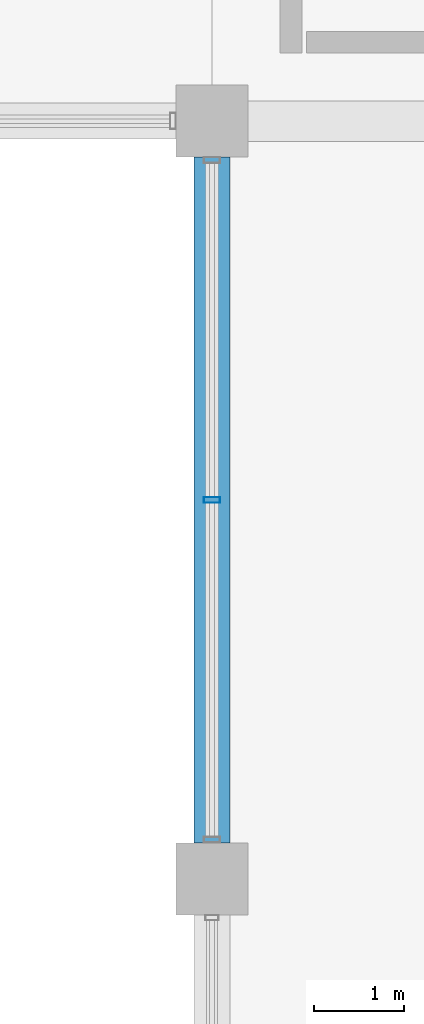
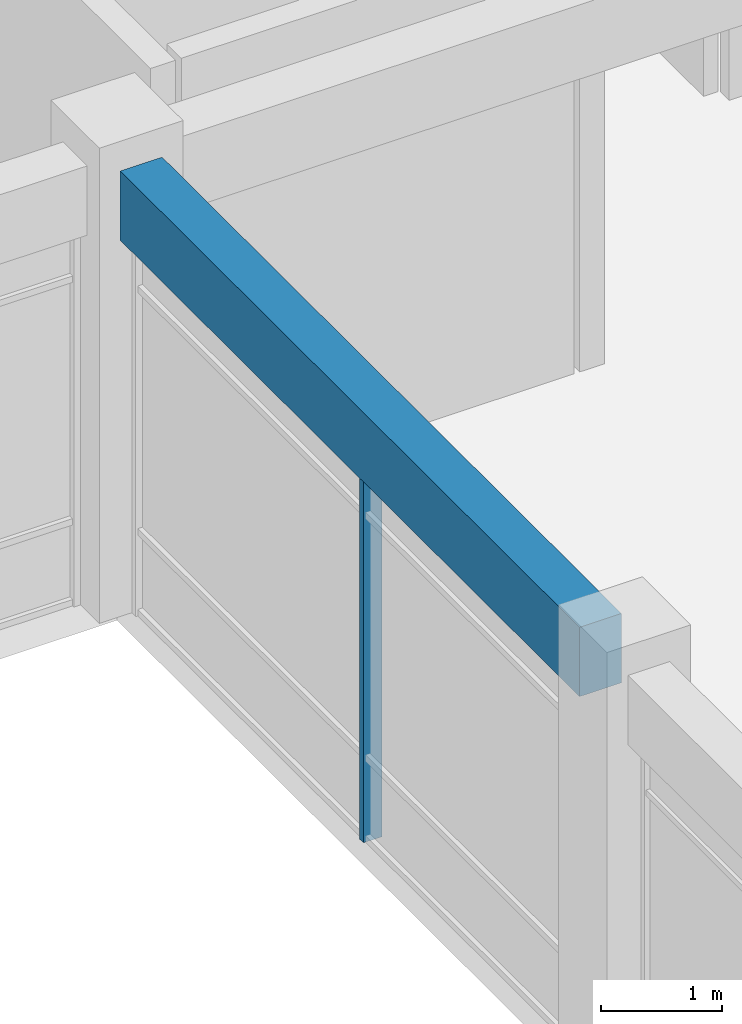
# One storey, part 25 of 62: 1 beam, 1 member, 1 element without a shape of its own.
"""IFC4 building model written with IfcOpenShell, lengths in metres."""

from ifc_helpers import new_model, si_unit, direction, frame, origin, origin_2d, place, context, subcontext, project, spatial, rectangle, hollow_rectangle, extrude, material, material_profile, profile_set, type_object, element, aggregate, save


model = new_model("IFC4")

# Units and contexts
model_context = context("Model", 3, precision=1e-05, world=origin(), true_north=direction((0.0, 1.0)))
body_context = subcontext(model_context, "Body", "Model", "MODEL_VIEW")
ifc_project = project(units=[si_unit("LENGTHUNIT", "METRE"), si_unit("AREAUNIT", "SQUARE_METRE"), si_unit("VOLUMEUNIT", "CUBIC_METRE"), si_unit("PLANEANGLEUNIT", "RADIAN"), si_unit("MASSUNIT", "GRAM", prefix="KILO"), si_unit("THERMODYNAMICTEMPERATUREUNIT", "KELVIN"), si_unit("POWERUNIT", "WATT")], contexts=[model_context])

# Site, building, storey
site_placement = place(None, origin())
site = spatial("IfcSite", under=ifc_project, at=site_placement, CompositionType="ELEMENT")
building_placement = place(site_placement, origin())
building = spatial("IfcBuilding", under=site, at=building_placement, Name="Srebrne Nadtorze General Hospital", CompositionType="ELEMENT")
storey_placement = place(building_placement, frame((0.0, 0.0, 9.60009765625)))
storey = spatial("IfcBuildingStorey", under=building, at=storey_placement, Name="L02", CompositionType="ELEMENT", Elevation=9.60009765625)

# Curtain wall, member
ifc_material_1 = material(Name="Anodised Aluminium", Category="aluminium")
curtain_wall_type = type_object("IfcCurtainWallType", Name="Unitised curtain wall 7600x3800", PredefinedType="NOTDEFINED", material=ifc_material_1)
curtain_wall_placement = place(storey_placement, origin())
curtain_wall = element("IfcCurtainWall", 1, at=curtain_wall_placement, inside=storey, type_object=curtain_wall_type, Name="Curtain wall CW-085", PredefinedType="NOTDEFINED")
ifc_material_2 = material(Name="Anodised Aluminium", Category="aluminium")
ifc_material_profile_1 = material_profile(ifc_material_2, hollow_rectangle(XDim=0.06494140625, YDim=0.179931640625, WallThickness=0.00390625, at=origin_2d()), Name="AL-MUL-65x180")
ifc_profile_set_1 = profile_set([ifc_material_profile_1], Name="Anodised Aluminium")
member_type = type_object("IfcMemberType", Name="Curtain mullion 65x180", PredefinedType="MULLION", material=ifc_profile_set_1)
member_placement = place(storey_placement, frame((101.39990234375, 46.199951171875, 0.0), z_axis=(0.0, 0.0, 1.0), x_axis=(0.0, 1.0, 0.0)))
member = element("IfcMember", 2, at=member_placement, type_object=member_type, Name="CW-085 mullion 2", PredefinedType="MULLION", context=body_context, shape_type="SweptSolid", body=[
    extrude(hollow_rectangle(XDim=0.06494140625, YDim=0.179931640625, WallThickness=0.00390625, at=origin_2d()), origin(), (0.0, 0.0, 1.0), 3.7998046875),
])
aggregate(curtain_wall, [member])

# Beam
ifc_material_3 = material(Name="Concrete C40/50", Category="concrete")
ifc_material_profile_2 = material_profile(ifc_material_3, rectangle(XDim=0.39990234375, YDim=0.699951171875, at=origin_2d()), Name="RC-BM-400x700")
ifc_profile_set_2 = profile_set([ifc_material_profile_2], Name="Concrete C40/50")
beam_type = type_object("IfcBeamType", Name="Edge beam RC 400x700", PredefinedType="BEAM", material=ifc_profile_set_2)
beam_placement = place(storey_placement, frame((101.39990234375, 42.39990234375, 4.14990234375), z_axis=(0.0, 1.0, 0.0), x_axis=(-1.0, 0.0, 0.0)))
element("IfcBeam", 3, at=beam_placement, inside=storey, type_object=beam_type, Name="Beam BM-L02-Y-0677", PredefinedType="BEAM", context=body_context, shape_type="SweptSolid", body=[
    extrude(rectangle(XDim=0.39990234375, YDim=0.699951171875, at=origin_2d()), origin(), (0.0, 0.0, 1.0), 7.60009765625),
])

save(model, "model.ifc")
